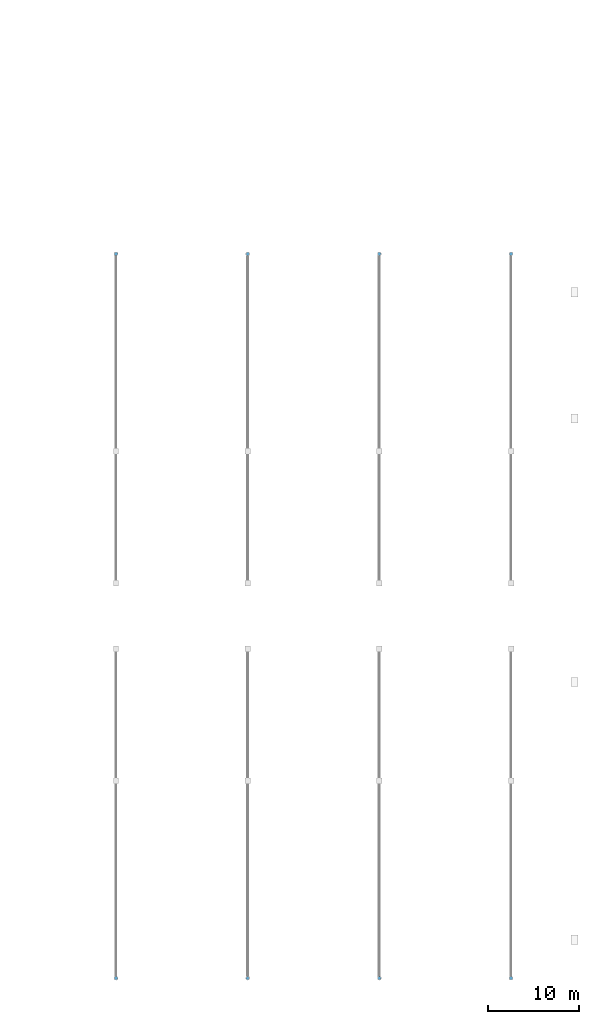
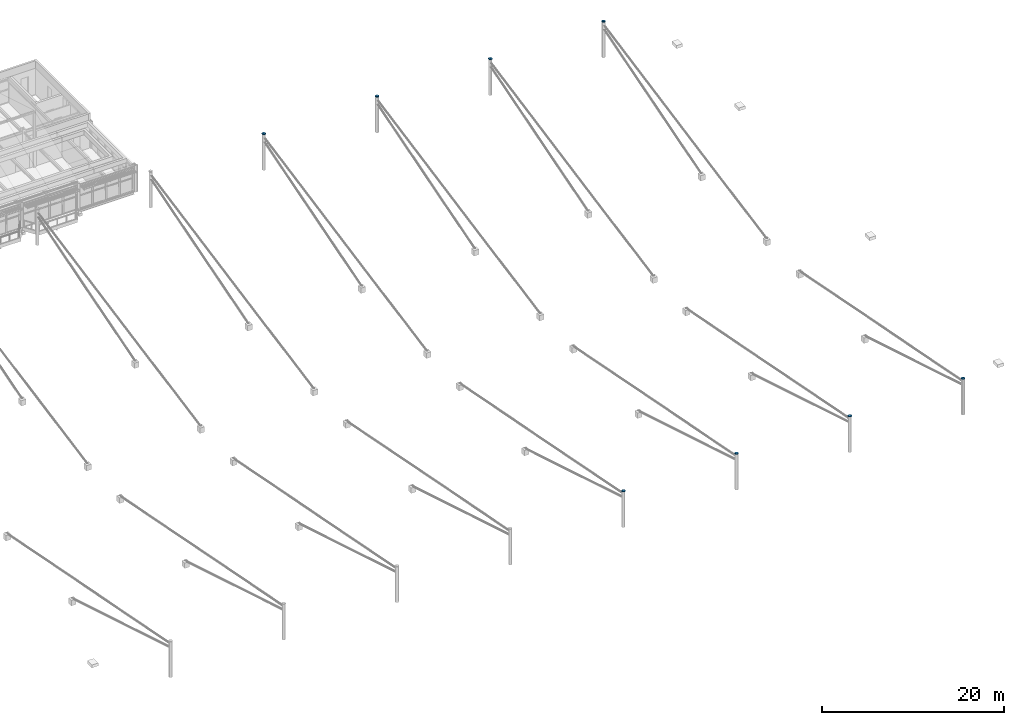
# One storey, part 58 of 68: 8 discrete accessories.
"""IFC4 building model written with IfcOpenShell, lengths in metres."""

from ifc_helpers import new_model, si_unit, direction, frame, origin, origin_2d, place, context, subcontext, project, spatial, circle, extrude, material, layer, layer_set, type_object, element, save


model = new_model("IFC4")

# Units and contexts
model_context = context("Model", 3, precision=1e-05, world=origin(), true_north=direction((0.0, 1.0)))
body_context = subcontext(model_context, "Body", "Model", "MODEL_VIEW")
ifc_project = project(units=[si_unit("LENGTHUNIT", "METRE"), si_unit("AREAUNIT", "SQUARE_METRE"), si_unit("VOLUMEUNIT", "CUBIC_METRE"), si_unit("PLANEANGLEUNIT", "RADIAN"), si_unit("MASSUNIT", "GRAM", prefix="KILO")], contexts=[model_context])

# Site, building, storey
site_placement = place(None, origin())
site = spatial("IfcSite", under=ifc_project, at=site_placement, CompositionType="ELEMENT")
building_placement = place(site_placement, origin())
building = spatial("IfcBuilding", under=site, at=building_placement, Name="Kupolbacken Congress Centre", CompositionType="ELEMENT")
storey_placement = place(building_placement, frame((0.0, 0.0, 25.199951171875)))
storey = spatial("IfcBuildingStorey", under=building, at=storey_placement, Name="L07", CompositionType="ELEMENT", Elevation=25.199951171875)

# Discrete accessories
ifc_material = material(Name="Steel S355", Category="steel")
ifc_layer = layer(ifc_material, 0.02001953125)
ifc_layer_set = layer_set([ifc_layer], Name="Steel S355")
discrete_accessory_type = type_object("IfcDiscreteAccessoryType", Name="EC1 mast head cap plate 406 dia x 20", PredefinedType="BRACKET", material=ifc_layer_set)
for number, where, z_axis, x_axis, name in (
    (1, (151.199951171875, 118.800048828125, 4.800048828125), (0.0, 0.0, 1.0), (1.0, 0.0, 0.0), "End cap plate Roof mast M5N"),
    (2, (151.199951171875, 39.60009765625, 4.800048828125), (0.0, 0.0, 1.0), (1.0, 0.0, 0.0), "End cap plate Roof mast M5S"),
    (3, (165.60009765625, 118.800048828125, 4.800048828125), (0.0, 0.0, 1.0), (1.0, 0.0, 0.0), "End cap plate Roof mast M6N"),
    (4, (165.60009765625, 39.60009765625, 4.800048828125), (0.0, 0.0, 1.0), (1.0, 0.0, 0.0), "End cap plate Roof mast M6S"),
    (5, (180.0, 118.800048828125, 4.800048828125), (0.0, 0.0, 1.0), (1.0, 0.0, 0.0), "End cap plate Roof mast M7N"),
    (6, (180.0, 39.60009765625, 4.800048828125), (0.0, 0.0, 1.0), (1.0, 0.0, 0.0), "End cap plate Roof mast M7S"),
    (7, (194.39990234375, 118.800048828125, 4.800048828125), (0.0, 0.0, 1.0), (1.0, 0.0, 0.0), "End cap plate Roof mast M8N"),
    (8, (194.39990234375, 39.60009765625, 4.800048828125), (0.0, 0.0, 1.0), (1.0, 0.0, 0.0), "End cap plate Roof mast M8S"),
):
    element("IfcDiscreteAccessory", number, at=place(storey_placement, frame(where, z_axis=z_axis, x_axis=x_axis)), inside=storey, type_object=discrete_accessory_type, Name=name, PredefinedType="BRACKET", context=body_context, shape_type="SweptSolid", body=[
        extrude(circle(Radius=0.203125, at=origin_2d()), origin(), (0.0, 0.0, 1.0), 0.02001953125),
    ])

save(model, "model.ifc")
